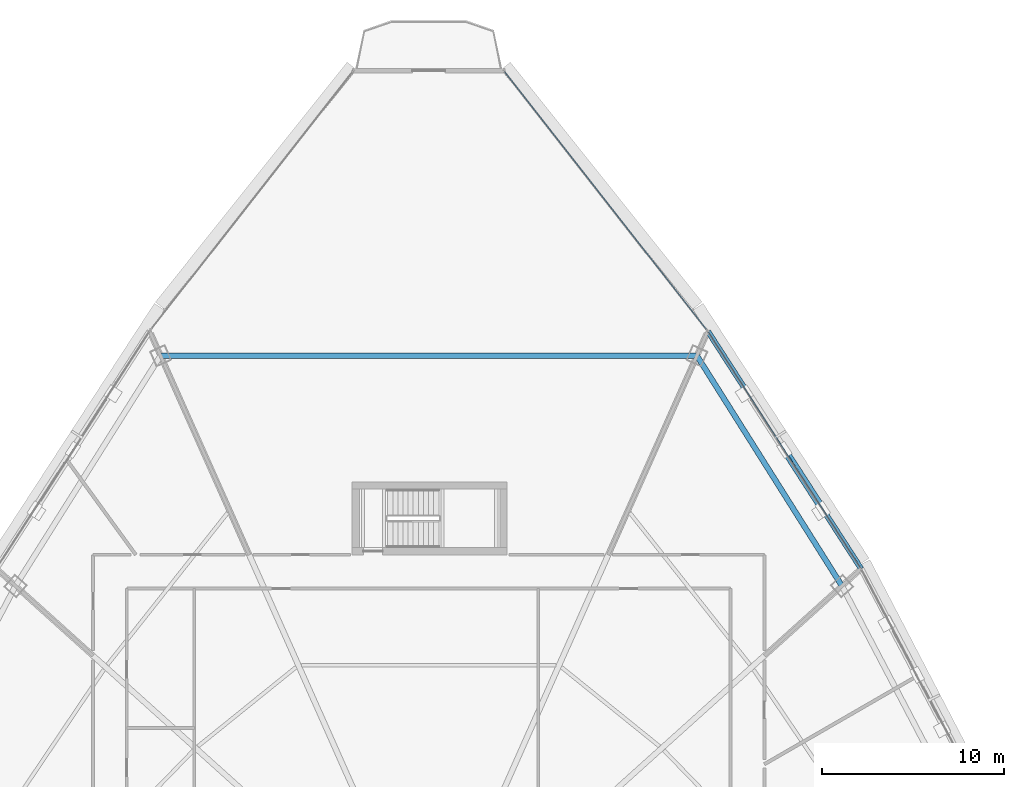
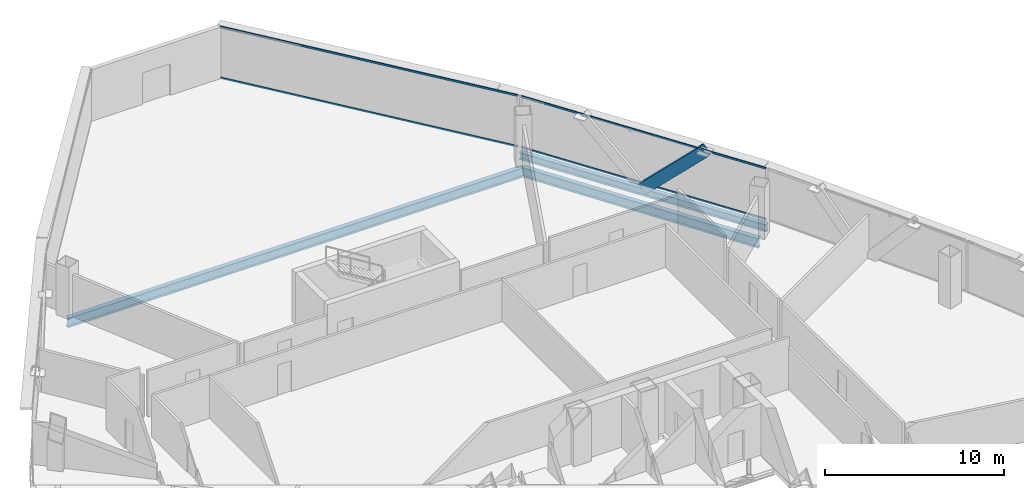
# One storey, part 21 of 36: 5 members, 3 beams, 2 elements without a shape of their own.
"""IFC4 building model written with IfcOpenShell, lengths in metres."""

import ifcopenshell
import ifcopenshell.guid

model = None  # the IFC model being written
_history = None  # IfcOwnerHistory: only IFC2X3 demands one
_inside = {}  # id of a spatial element -> (the spatial element, [elements in it])
_under = {}  # id of a project, library or spatial element -> (it, [spatial elements below it])
_declared = {}  # id of a project -> (the project, [libraries it declares])
_typed = {}  # id of a type object -> (the type object, [elements of that type])
_made_of = {}  # id of a material, layer set ... -> (it, [elements and type objects made of it])


def new_model(schema):
    """Start an empty IFC model of exactly this schema.

    Asked for "IFC4X3", IfcOpenShell would pick the latest addendum, in which some entities
    have other attributes; the version numbers below select the first issue.
    IFC2X3 requires an IfcOwnerHistory on every rooted entity: one is made here for all.
    """
    global model, _history
    if schema == "IFC4X3":
        model = ifcopenshell.file(schema_version=(4, 3, 0, 0))
    else:
        model = ifcopenshell.file(schema=schema)
    _inside.clear()
    _under.clear()
    _declared.clear()
    _typed.clear()
    _made_of.clear()
    _history = None
    if model.schema == "IFC2X3":
        org = make("IfcOrganization", Name="unknown")
        user = make(
            "IfcPersonAndOrganization",
            ThePerson=make("IfcPerson", FamilyName="unknown"),
            TheOrganization=org,
        )
        app = make(
            "IfcApplication",
            ApplicationDeveloper=org,
            Version="unknown",
            ApplicationFullName="unknown",
            ApplicationIdentifier="unknown",
        )
        _history = make(
            "IfcOwnerHistory",
            OwningUser=user,
            OwningApplication=app,
            ChangeAction="ADDED",
            CreationDate=0,
        )
    return model


def make(cls, **values):
    """One entity of the class cls with the attributes given. An attribute that is None is left unset."""
    return model.create_entity(
        cls, **{name: value for name, value in values.items() if value is not None}
    )


def rooted(cls, **values):
    """An entity with a GlobalId (a new one), such as an element, a storey or a relation."""
    return make(cls, GlobalId=ifcopenshell.guid.new(), OwnerHistory=_history, **values)


def si_unit(unit_type, name, prefix=None):
    """IfcSIUnit, for example si_unit("LENGTHUNIT", "METRE", prefix="MILLI")."""
    return make("IfcSIUnit", UnitType=unit_type, Prefix=prefix, Name=name)


def assignment(units):
    """IfcUnitAssignment: the units of a project."""
    return None if units is None else make("IfcUnitAssignment", Units=units)


def point(xyz):
    """IfcCartesianPoint."""
    return None if xyz is None else make("IfcCartesianPoint", Coordinates=xyz)


def direction(xyz):
    """IfcDirection."""
    return None if xyz is None else make("IfcDirection", DirectionRatios=xyz)


def frame(location, z_axis=None, x_axis=None):
    """IfcAxis2Placement3D, a coordinate frame: its origin and axes. An axis left out is left unset."""
    return make(
        "IfcAxis2Placement3D",
        Location=point(location),
        Axis=direction(z_axis),
        RefDirection=direction(x_axis),
    )


def frame_2d(location, x_axis=None):
    """IfcAxis2Placement2D, a coordinate frame in the plane: its origin and x axis."""
    return make(
        "IfcAxis2Placement2D", Location=point(location), RefDirection=direction(x_axis)
    )


def origin():
    """The frame at (0, 0, 0) with its axes left unset."""
    return frame((0.0, 0.0, 0.0))


def origin_2d():
    """The frame at (0, 0) in the plane with its x axis left unset."""
    return frame_2d((0.0, 0.0))


def place(relative_to, where):
    """IfcLocalPlacement: puts the frame where relative to a parent placement (None: the world)."""
    return make(
        "IfcLocalPlacement", PlacementRelTo=relative_to, RelativePlacement=where
    )


def context(
    kind, dimensions, precision=None, world=None, true_north=None, identifier=None
):
    """IfcGeometricRepresentationContext, for example the 3D "Model" context."""
    return make(
        "IfcGeometricRepresentationContext",
        ContextIdentifier=identifier,
        ContextType=kind,
        CoordinateSpaceDimension=dimensions,
        Precision=precision,
        WorldCoordinateSystem=world,
        TrueNorth=true_north,
    )


def subcontext(parent, identifier, kind, view, scale=None):
    """IfcGeometricRepresentationSubContext, for example "Body" below "Model"."""
    return make(
        "IfcGeometricRepresentationSubContext",
        ContextIdentifier=identifier,
        ContextType=kind,
        ParentContext=parent,
        TargetScale=scale,
        TargetView=view,
    )


def project(units=None, contexts=None):
    """IfcProject with its units and contexts."""
    return rooted(
        "IfcProject",
        Name="project",
        RepresentationContexts=contexts,
        UnitsInContext=assignment(units),
    )


def spatial(cls, under=None, at=None, **own):
    """A site, building, storey or space (cls), placed at a placement, below another one or the project."""
    s = rooted(cls, ObjectPlacement=at, **own)
    if under is not None:
        _under.setdefault(under.id(), (under, []))[1].append(s)
    return s


def profile(cls, at=None, kind="AREA", **sizes):
    """A parametric profile (cls). Its sizes go by their IFC names, for example OverallWidth=200.0."""
    return make(cls, ProfileType=kind, Position=at, **sizes)


def hollow_rectangle(**sizes):
    """IfcRectangleHollowProfileDef."""
    return profile("IfcRectangleHollowProfileDef", **sizes)


def i_section(**sizes):
    """IfcIShapeProfileDef."""
    return profile("IfcIShapeProfileDef", **sizes)


def extrude(swept, where, along, depth):
    """IfcExtrudedAreaSolid: the profile swept, set in the frame where, extruded along a direction by depth."""
    return make(
        "IfcExtrudedAreaSolid",
        SweptArea=swept,
        Position=where,
        ExtrudedDirection=direction(along),
        Depth=depth,
    )


def shape(context_of_items, identifier, shape_type, items):
    """IfcShapeRepresentation: the items that make up one representation, for example the "Body"."""
    return make(
        "IfcShapeRepresentation",
        ContextOfItems=context_of_items,
        RepresentationIdentifier=identifier,
        RepresentationType=shape_type,
        Items=items,
    )


def source(mapping_origin, context_of_items, identifier, shape_type, items):
    """IfcRepresentationMap: a shape defined once, which mapped items show again and again."""
    return make(
        "IfcRepresentationMap",
        MappingOrigin=mapping_origin,
        MappedRepresentation=shape(context_of_items, identifier, shape_type, items),
    )


def transform(
    local_origin,
    x_axis=None,
    y_axis=None,
    z_axis=None,
    scale=None,
    scale2=None,
    scale3=None,
    uniform=True,
):
    """IfcCartesianTransformationOperator3D, or its non-uniform kind. x_axis, y_axis, z_axis: its Axis1, 2, 3."""
    if uniform:
        return make(
            "IfcCartesianTransformationOperator3D",
            Axis1=direction(x_axis),
            Axis2=direction(y_axis),
            LocalOrigin=point(local_origin),
            Scale=scale,
            Axis3=direction(z_axis),
        )
    return make(
        "IfcCartesianTransformationOperator3DnonUniform",
        Axis1=direction(x_axis),
        Axis2=direction(y_axis),
        LocalOrigin=point(local_origin),
        Scale=scale,
        Axis3=direction(z_axis),
        Scale2=scale2,
        Scale3=scale3,
    )


def mapped(mapping_source, mapping_target):
    """IfcMappedItem: shows the shape of a source again, moved by a transform."""
    return make(
        "IfcMappedItem", MappingSource=mapping_source, MappingTarget=mapping_target
    )


def material(Name=None, Category=None):
    """IfcMaterial."""
    return make("IfcMaterial", Name=Name, Category=Category)


def layer(
    of_material, thickness, ventilated=None, Name=None, Category=None, Priority=None
):
    """IfcMaterialLayer: one layer of a wall or slab, of a material (None: an air gap)."""
    return make(
        "IfcMaterialLayer",
        Material=of_material,
        LayerThickness=thickness,
        IsVentilated=ventilated,
        Name=Name,
        Category=Category,
        Priority=Priority,
    )


def layer_set(layers, Name=None):
    """IfcMaterialLayerSet."""
    return make("IfcMaterialLayerSet", MaterialLayers=layers, LayerSetName=Name)


def material_profile(
    of_material, cross_section, Name=None, Category=None, Priority=None
):
    """IfcMaterialProfile: a cross section and its material."""
    return make(
        "IfcMaterialProfile",
        Name=Name,
        Material=of_material,
        Profile=cross_section,
        Priority=Priority,
        Category=Category,
    )


def profile_set(profiles, Name=None, composite=None):
    """IfcMaterialProfileSet."""
    return make(
        "IfcMaterialProfileSet",
        Name=Name,
        MaterialProfiles=profiles,
        CompositeProfile=composite,
    )


def made_of(thing, what):
    """Note that an element or type object is made of a material, layer set ...; save() writes the relation."""
    if what is not None:
        _made_of.setdefault(what.id(), (what, []))[1].append(thing)
    return thing


def type_object(cls, material=None, **own):
    """A type object (cls), such as IfcWallType, which elements share."""
    return made_of(rooted(cls, **own), material)


def element(
    cls,
    number,
    at=None,
    inside=None,
    cuts=None,
    type_object=None,
    material=None,
    context=None,
    identifier="Body",
    shape_type=None,
    held_by="IfcProductDefinitionShape",
    body=None,
    shapes=None,
    **own,
):
    """One element of the class cls, such as IfcWall. Its Tag is "e" and its number.

    at: its placement. inside: the storey or other place that contains it. cuts: it is an
    opening in that element (IfcRelVoidsElement). A single representation is given by context,
    identifier, shape_type and body (its items); several are given by shapes. held_by: the class
    of the entity that holds the representations. save() writes the other relations.
    """
    e = rooted(cls, Tag="e%d" % number, ObjectPlacement=at, **own)
    if body is not None:
        shapes = [shape(context, identifier, shape_type, body)]
    if shapes is not None:
        e.Representation = make(held_by, Representations=shapes)
    if inside is not None:
        _inside.setdefault(inside.id(), (inside, []))[1].append(e)
    if cuts is not None:
        rooted(
            "IfcRelVoidsElement", RelatingBuildingElement=cuts, RelatedOpeningElement=e
        )
    if type_object is not None:
        _typed.setdefault(type_object.id(), (type_object, []))[1].append(e)
    return made_of(e, material)


def aggregate(whole, parts):
    """IfcRelAggregates: a whole, such as a stair, and the parts it consists of."""
    return rooted("IfcRelAggregates", RelatingObject=whole, RelatedObjects=parts)


def save(model, path):
    """Write the relations noted so far, then the file.

    IfcRelAggregates (storeys below a building ...), IfcRelContainedInSpatialStructure (elements
    in a storey), IfcRelDefinesByType, IfcRelAssociatesMaterial and IfcRelDeclares: one each for
    every whole, place, type object, material and project.
    """
    for whole, parts in _under.values():
        aggregate(whole, parts)
    for where, things in _inside.values():
        rooted(
            "IfcRelContainedInSpatialStructure",
            RelatedElements=things,
            RelatingStructure=where,
        )
    for kind, things in _typed.values():
        rooted("IfcRelDefinesByType", RelatedObjects=things, RelatingType=kind)
    for what, things in _made_of.values():
        rooted("IfcRelAssociatesMaterial", RelatedObjects=things, RelatingMaterial=what)
    for by, libraries in _declared.values():
        rooted("IfcRelDeclares", RelatingContext=by, RelatedDefinitions=libraries)
    model.write(path)


model = new_model("IFC4")

# Units and contexts
model_context = context("Model", 3, precision=1e-05, world=origin(), true_north=direction((0.0, 1.0)))
body_context = subcontext(model_context, "Body", "Model", "MODEL_VIEW")
ifc_project = project(units=[si_unit("LENGTHUNIT", "METRE"), si_unit("AREAUNIT", "SQUARE_METRE"), si_unit("VOLUMEUNIT", "CUBIC_METRE"), si_unit("PLANEANGLEUNIT", "RADIAN"), si_unit("MASSUNIT", "GRAM", prefix="KILO"), si_unit("THERMODYNAMICTEMPERATUREUNIT", "KELVIN"), si_unit("POWERUNIT", "WATT")], contexts=[model_context])

# Site, building, storey
site_placement = place(None, origin())
site = spatial("IfcSite", under=ifc_project, at=site_placement, CompositionType="ELEMENT")
building_placement = place(site_placement, origin())
building = spatial("IfcBuilding", under=site, at=building_placement, Name="Yunzhuo Pagoda Commons", CompositionType="ELEMENT")
storey_placement = place(building_placement, frame((0.0, 0.0, 215.159912109375)))
storey = spatial("IfcBuildingStorey", under=building, at=storey_placement, Name="L54", CompositionType="ELEMENT", Elevation=215.159912109375)

# Beams
ifc_material_1 = material(Name="Structural steel Q355B", Category="steel")
ifc_material_profile_1 = material_profile(ifc_material_1, i_section(OverallWidth=0.300048828125, OverallDepth=0.64990234375, WebThickness=0.012939453125, FlangeThickness=0.02197265625, at=origin_2d()), Name="Structural steel Q355B")
ifc_profile_set_1 = profile_set([ifc_material_profile_1], Name="Structural steel Q355B")
beam_type_1 = type_object("IfcBeamType", Name="B-RG2 Beam HN 650x300x13x22", PredefinedType="BEAM", material=ifc_profile_set_1)
shared_shape_1 = source(origin(), body_context, "Body", "SweptSolid", [
    extrude(i_section(OverallWidth=0.300048828125, OverallDepth=0.64990234375, WebThickness=0.012939453125, FlangeThickness=0.02197265625, at=origin_2d()), origin(), (0.0, 0.0, 1.0), 14.916015625),
])
beam_1_placement = place(storey_placement, frame((70.650634765625, 54.0947265625, -0.5849609375), z_axis=(-0.533092374013, 0.846057043449, 0.0), x_axis=(-0.846057043449, -0.533092374013, 0.0)))
element("IfcBeam", 1, at=beam_1_placement, inside=storey, type_object=beam_type_1, Name="L54 column-ring beam 7", PredefinedType="BEAM", context=body_context, shape_type="MappedRepresentation", body=[
    mapped(shared_shape_1, transform((0.0, 0.0, 0.0), scale=1.0)),
])
shared_shape_2 = source(origin(), body_context, "Body", "SweptSolid", [
    extrude(i_section(OverallWidth=0.300048828125, OverallDepth=0.64990234375, WebThickness=0.012939453125, FlangeThickness=0.02197265625, at=origin_2d()), origin(), (0.0, 0.0, 1.0), 29.39794921875),
])
beam_2_placement = place(storey_placement, frame((62.698974609375, 66.714599609375, -0.5849609375), z_axis=(-1.0, 0.0, 0.0), x_axis=(0.0, -1.0, 0.0)))
element("IfcBeam", 2, at=beam_2_placement, inside=storey, type_object=beam_type_1, Name="L54 column-ring beam 8", PredefinedType="BEAM", context=body_context, shape_type="MappedRepresentation", body=[
    mapped(shared_shape_2, transform((0.0, 0.0, 0.0), scale=1.0)),
])
ifc_material_profile_2 = material_profile(ifc_material_1, i_section(OverallWidth=0.300048828125, OverallDepth=0.488037109375, WebThickness=0.010986328125, FlangeThickness=0.01806640625, at=origin_2d()), Name="Structural steel Q355B")
ifc_profile_set_2 = profile_set([ifc_material_profile_2], Name="Structural steel Q355B")
beam_type_2 = type_object("IfcBeamType", Name="B-SP1 Beam HM 488x300x11x18", PredefinedType="BEAM", material=ifc_profile_set_2)
shared_shape_3 = source(origin(), body_context, "Body", "SweptSolid", [
    extrude(i_section(OverallWidth=0.300048828125, OverallDepth=0.488037109375, WebThickness=0.010986328125, FlangeThickness=0.01806640625, at=origin_2d()), origin(), (0.0, 0.0, 1.0), 15.4951171875),
])
beam_3_placement = place(storey_placement, frame((71.701904296875, 55.041259765625, -0.50390625), z_axis=(-0.542386674216, 0.840128975594, 0.0), x_axis=(-0.840128975594, -0.542386674216, 0.0)))
element("IfcBeam", 3, at=beam_3_placement, inside=storey, type_object=beam_type_2, Name="L54 facade edge spandrel beam F2.3", PredefinedType="BEAM", context=body_context, shape_type="MappedRepresentation", body=[
    mapped(shared_shape_3, transform((0.0, 0.0, 0.0), scale=1.0)),
])

# Member
ifc_material_profile_3 = material_profile(ifc_material_1, hollow_rectangle(XDim=0.39990234375, YDim=0.719970703125, WallThickness=0.02392578125, at=origin_2d()), Name="Structural steel Q355B")
ifc_profile_set_3 = profile_set([ifc_material_profile_3], Name="Structural steel Q355B")
member_type_1 = type_object("IfcMemberType", Name="M-DL2 Brace BOX 720x400x24", PredefinedType="BRACE", material=ifc_profile_set_3)
shared_shape_4 = source(origin(), body_context, "Body", "SweptSolid", [
    extrude(hollow_rectangle(XDim=0.39990234375, YDim=0.719970703125, WallThickness=0.02392578125, at=origin_2d()), origin(), (0.0, 0.0, 1.0), 5.41259765625),
])
member_1_placement = place(storey_placement, frame((67.499755859375, 61.55029296875, -0.260009765625), z_axis=(0.388184919033, -0.601312242114, 0.698381025028), x_axis=(0.840142880277, 0.542365135974, 0.0)))
element("IfcMember", 4, at=member_1_placement, inside=storey, type_object=member_type_1, Name="L54 facade diamond brace F2.3L", PredefinedType="BRACE", context=body_context, shape_type="MappedRepresentation", body=[
    mapped(shared_shape_4, transform((0.0, 0.0, 0.0), scale=1.0)),
])

# Curtain wall, members
ifc_material_2 = material(Name="Anodized aluminium 6063-T6", Category="aluminium")
ifc_layer = layer(ifc_material_2, 0.14990234375)
ifc_layer_set = layer_set([ifc_layer], Name="Anodized aluminium 6063-T6")
curtain_wall_type = type_object("IfcCurtainWallType", Name="CW-MID Mid-Zone Ribbon Curtain Wall", PredefinedType="NOTDEFINED", material=ifc_layer_set)
curtain_wall_1_placement = place(storey_placement, origin())
curtain_wall_1 = element("IfcCurtainWall", 5, at=curtain_wall_1_placement, inside=storey, type_object=curtain_wall_type, Name="L54 curtain wall CW-L54-F2B4", PredefinedType="NOTDEFINED")
ifc_material_profile_4 = material_profile(ifc_material_2, hollow_rectangle(XDim=0.054931640625, YDim=0.1298828125, WallThickness=0.00341796875, at=origin_2d()), Name="Anodized aluminium 6063-T6")
ifc_profile_set_4 = profile_set([ifc_material_profile_4], Name="Anodized aluminium 6063-T6")
member_type_2 = type_object("IfcMemberType", Name="CW-MID-T Transom RHS 130x55x3.5", PredefinedType="USERDEFINED", material=ifc_profile_set_4)
shared_shape_5 = source(origin(), body_context, "Body", "SweptSolid", [
    extrude(hollow_rectangle(XDim=0.054931640625, YDim=0.1298828125, WallThickness=0.00341796875, at=origin_2d()), origin(), (0.0, 0.0, 1.0), 15.375244140625),
])
member_2_placement = place(storey_placement, frame((71.66943359375, 55.091552734375, 0.027587890625), z_axis=(-0.542375319866, 0.840136305846, 0.0), x_axis=(-0.840136305846, -0.542375319866, 0.0)))
member_2 = element("IfcMember", 6, at=member_2_placement, type_object=member_type_2, Name="CW transom 1.1", ObjectType="TRANSOM", PredefinedType="USERDEFINED", context=body_context, shape_type="MappedRepresentation", body=[
    mapped(shared_shape_5, transform((0.0, 0.0, 0.0), scale=1.0)),
])
member_3_placement = place(storey_placement, frame((71.66943359375, 55.091552734375, 3.49267578125), z_axis=(-0.542375319866, 0.840136305846, 0.0), x_axis=(-0.840136305846, -0.542375319866, 0.0)))
member_3 = element("IfcMember", 7, at=member_3_placement, type_object=member_type_2, Name="CW transom 1.2", ObjectType="TRANSOM", PredefinedType="USERDEFINED", context=body_context, shape_type="MappedRepresentation", body=[
    mapped(shared_shape_5, transform((0.0, 0.0, 0.0), scale=1.0)),
])
aggregate(curtain_wall_1, [member_2, member_3])

curtain_wall_2_placement = place(storey_placement, origin())
curtain_wall_2 = element("IfcCurtainWall", 8, at=curtain_wall_2_placement, inside=storey, type_object=curtain_wall_type, Name="L54 curtain wall CW-L54-F2B5", PredefinedType="NOTDEFINED")
shared_shape_6 = source(origin(), body_context, "Body", "SweptSolid", [
    extrude(hollow_rectangle(XDim=0.054931640625, YDim=0.1298828125, WallThickness=0.00341796875, at=origin_2d()), origin(), (0.0, 0.0, 1.0), 17.94091796875),
])
member_4_placement = place(storey_placement, frame((63.214599609375, 68.16552734375, 0.027587890625), z_axis=(-0.616633301758, 0.7872505136, 0.0), x_axis=(-0.7872505136, -0.616633301758, 0.0)))
member_4 = element("IfcMember", 9, at=member_4_placement, type_object=member_type_2, Name="CW transom 1.1", ObjectType="TRANSOM", PredefinedType="USERDEFINED", context=body_context, shape_type="MappedRepresentation", body=[
    mapped(shared_shape_6, transform((0.0, 0.0, 0.0), scale=1.0)),
])
member_5_placement = place(storey_placement, frame((63.214599609375, 68.16552734375, 3.49267578125), z_axis=(-0.616633301758, 0.7872505136, 0.0), x_axis=(-0.7872505136, -0.616633301758, 0.0)))
member_5 = element("IfcMember", 10, at=member_5_placement, type_object=member_type_2, Name="CW transom 1.2", ObjectType="TRANSOM", PredefinedType="USERDEFINED", context=body_context, shape_type="MappedRepresentation", body=[
    mapped(shared_shape_6, transform((0.0, 0.0, 0.0), scale=1.0)),
])
aggregate(curtain_wall_2, [member_4, member_5])

save(model, "model.ifc")
